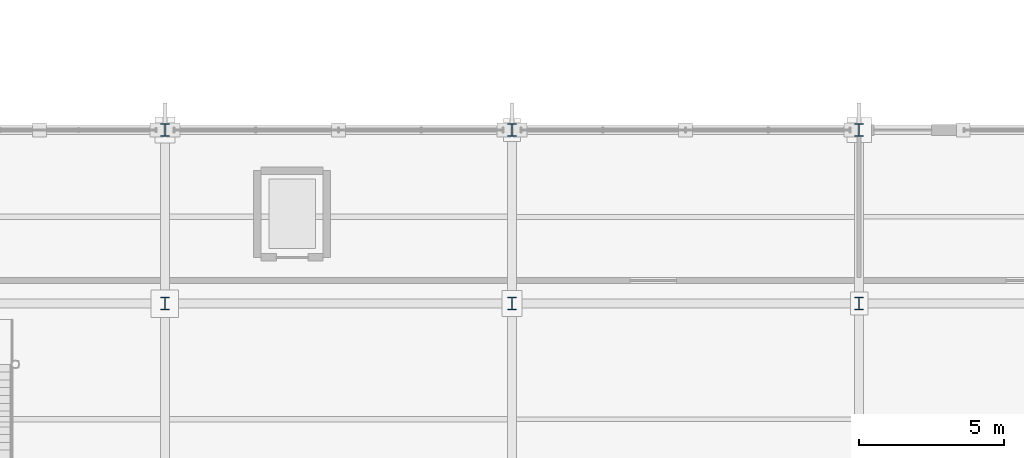
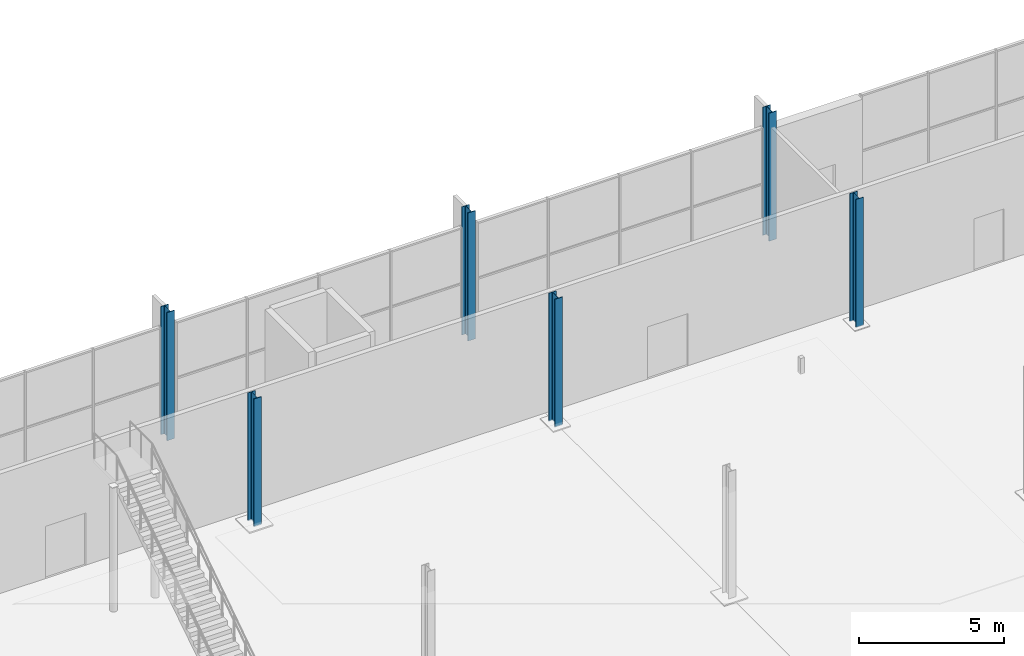
# One storey, part 8 of 196: 6 columns.
"""IFC4 building model written with IfcOpenShell, lengths in metres."""

from ifc_helpers import new_model, si_unit, direction, frame, origin, origin_2d, place, context, subcontext, project, spatial, i_section, extrude, material, material_profile, profile_set, type_object, element, save


model = new_model("IFC4")

# Units and contexts
model_context = context("Model", 3, precision=1e-05, world=origin(), true_north=direction((0.0, 1.0)))
body_context = subcontext(model_context, "Body", "Model", "MODEL_VIEW")
ifc_project = project(units=[si_unit("LENGTHUNIT", "METRE"), si_unit("AREAUNIT", "SQUARE_METRE"), si_unit("VOLUMEUNIT", "CUBIC_METRE"), si_unit("PLANEANGLEUNIT", "RADIAN"), si_unit("MASSUNIT", "GRAM", prefix="KILO")], contexts=[model_context])

# Site, building, storey
site_placement = place(None, origin())
site = spatial("IfcSite", under=ifc_project, at=site_placement, CompositionType="ELEMENT")
building_placement = place(site_placement, origin())
building = spatial("IfcBuilding", under=site, at=building_placement, Name="Merenkruunu Market Hall", CompositionType="ELEMENT")
storey_placement = place(building_placement, origin())
storey = spatial("IfcBuildingStorey", under=building, at=storey_placement, Name="L00", CompositionType="ELEMENT", Elevation=0.0)

# Columns
ifc_material = material(Name="Steel S355J2", Category="steel")
ifc_material_profile = material_profile(ifc_material, i_section(OverallWidth=0.300048828125, OverallDepth=0.43994140625, WebThickness=0.011474609375, FlangeThickness=0.02099609375, FilletRadius=0.027099609375, at=origin_2d()), Name="HEA 450")
ifc_profile_set = profile_set([ifc_material_profile], Name="Steel S355J2")
column_type = type_object("IfcColumnType", Name="Structural Column C07", PredefinedType="COLUMN", material=ifc_profile_set)
for number, where, z_axis, x_axis, name in (
    (1, (100.800048828125, 39.60009765625, 0.0), (0.0, 0.0, 1.0), (1.0, 0.0, 0.0), "COL-L00-L-05"),
    (2, (100.800048828125, 45.60009765625, 0.0), (0.0, 0.0, 1.0), (1.0, 0.0, 0.0), "COL-L00-L-06"),
    (3, (112.800048828125, 39.60009765625, 0.0), (0.0, 0.0, 1.0), (1.0, 0.0, 0.0), "COL-L00-M-05"),
    (4, (112.800048828125, 45.60009765625, 0.0), (0.0, 0.0, 1.0), (1.0, 0.0, 0.0), "COL-L00-M-06"),
    (5, (124.800048828125, 39.60009765625, 0.0), (0.0, 0.0, 1.0), (1.0, 0.0, 0.0), "COL-L00-N-05"),
    (6, (124.800048828125, 45.60009765625, 0.0), (0.0, 0.0, 1.0), (1.0, 0.0, 0.0), "COL-L00-N-06"),
):
    element("IfcColumn", number, at=place(storey_placement, frame(where, z_axis=z_axis, x_axis=x_axis)), inside=storey, type_object=column_type, Name=name, PredefinedType="COLUMN", context=body_context, shape_type="SweptSolid", body=[
        extrude(i_section(OverallWidth=0.300048828125, OverallDepth=0.43994140625, WebThickness=0.011474609375, FlangeThickness=0.02099609375, FilletRadius=0.027099609375, at=origin_2d()), origin(), (0.0, 0.0, 1.0), 5.39990234375),
    ])

save(model, "model.ifc")
